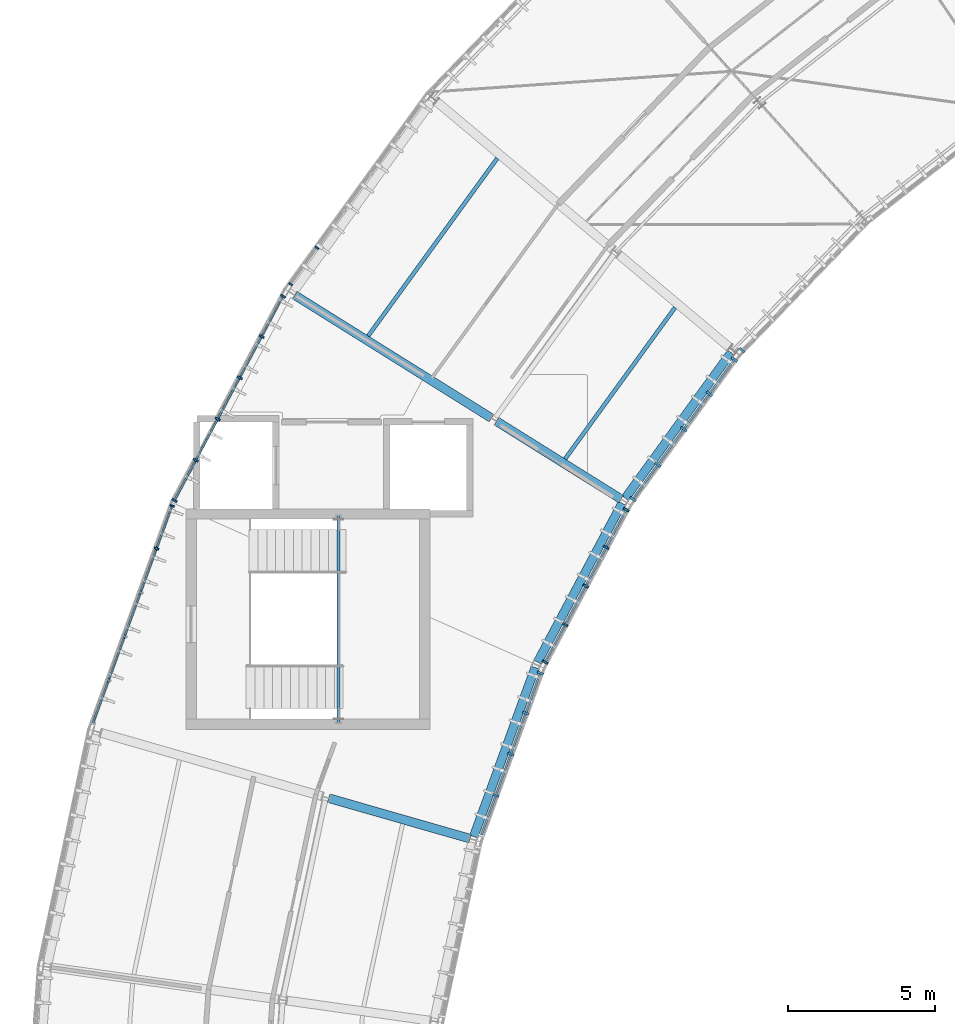
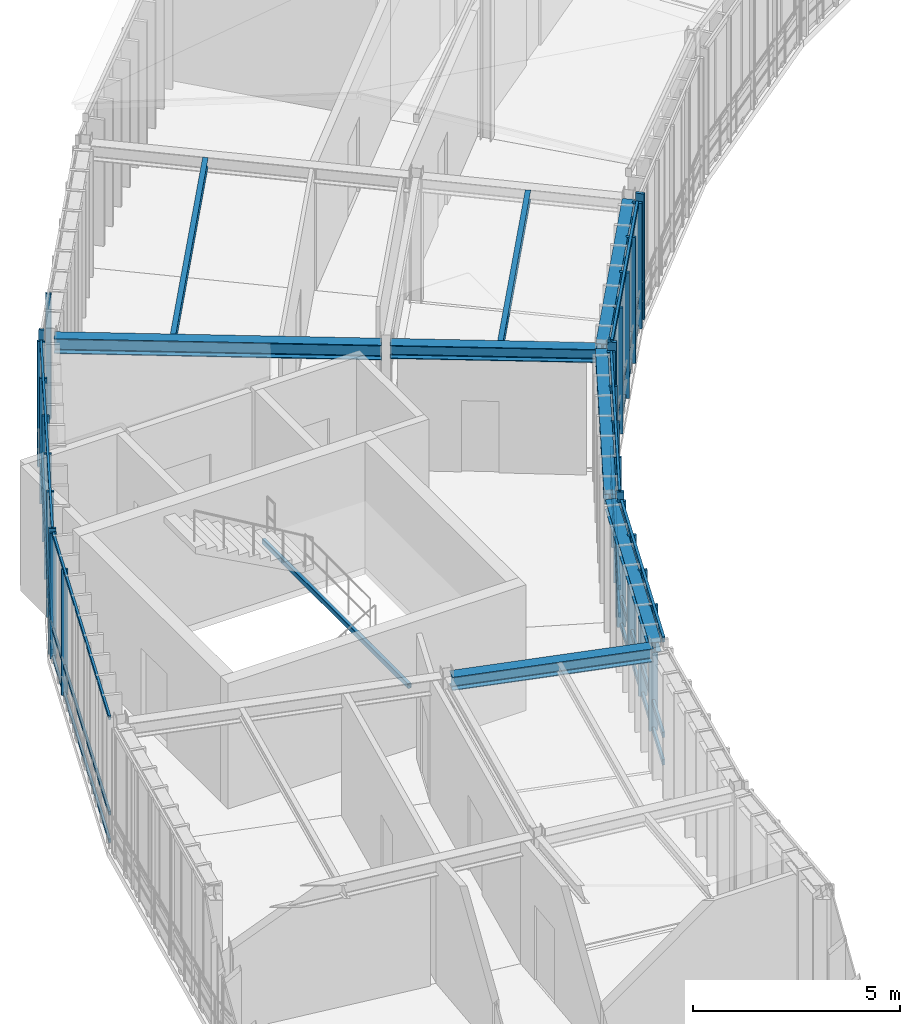
# One storey, part 6 of 25: 41 members, 8 beams, 7 elements without a shape of their own.
"""IFC4 building model written with IfcOpenShell, lengths in metres."""

from ifc_helpers import new_model, si_unit, direction, frame, origin, origin_2d, place, context, subcontext, project, spatial, rectangle, hollow_rectangle, i_section, extrude, material, layer, layer_set, material_profile, profile_set, type_object, element, aggregate, save


model = new_model("IFC4")

# Units and contexts
model_context = context("Model", 3, precision=1e-05, world=origin(), true_north=direction((0.0, 1.0)))
body_context = subcontext(model_context, "Body", "Model", "MODEL_VIEW")
ifc_project = project(units=[si_unit("LENGTHUNIT", "METRE"), si_unit("AREAUNIT", "SQUARE_METRE"), si_unit("VOLUMEUNIT", "CUBIC_METRE"), si_unit("PLANEANGLEUNIT", "RADIAN"), si_unit("MASSUNIT", "GRAM", prefix="KILO"), si_unit("THERMODYNAMICTEMPERATUREUNIT", "KELVIN"), si_unit("POWERUNIT", "WATT")], contexts=[model_context])

# Site, building, storey
site_placement = place(None, origin())
site = spatial("IfcSite", under=ifc_project, at=site_placement, CompositionType="ELEMENT")
building_placement = place(site_placement, origin())
building = spatial("IfcBuilding", under=site, at=building_placement, Name="Solvatero Civic Police Headquarters", CompositionType="ELEMENT")
storey_placement = place(building_placement, frame((0.0, 0.0, 25.5)))
storey = spatial("IfcBuildingStorey", under=building, at=storey_placement, Name="L06", CompositionType="ELEMENT", Elevation=25.5)

# Beams
ifc_material_1 = material(Name="Steel S355", Category="steel")
ifc_material_profile_1 = material_profile(ifc_material_1, i_section(OverallWidth=0.300048828125, OverallDepth=0.2900390625, WebThickness=0.008544921875, FlangeThickness=0.013916015625, FilletRadius=0.027099609375, at=origin_2d()), Name="HEA 300")
ifc_profile_set_1 = profile_set([ifc_material_profile_1], Name="Steel S355")
beam_type_1 = type_object("IfcBeamType", Name="BM-ST-HEA300", PredefinedType="SPANDREL", material=ifc_profile_set_1)
beam_1_placement = place(storey_placement, frame((59.201171875, 55.069580078125, 3.554931640625), z_axis=(-0.587785436261, -0.809016860714, 0.0), x_axis=(0.809016860714, -0.587785436261, 0.0)))
element("IfcBeam", 1, at=beam_1_placement, inside=storey, type_object=beam_type_1, Name="Perimeter / radial spandrel beam BM-R2-L06-ARC-CIN-B08", PredefinedType="SPANDREL", context=body_context, shape_type="SweptSolid", body=[
    extrude(i_section(OverallWidth=0.300048828125, OverallDepth=0.2900390625, WebThickness=0.008544921875, FlangeThickness=0.013916015625, FilletRadius=0.027099609375, at=origin_2d()), origin(), (0.0, 0.0, 1.0), 6.126953125),
])
beam_2_placement = place(storey_placement, frame((55.494140625, 49.943603515625, 3.554931640625), z_axis=(-0.469466925059, -0.882950058766, 0.0), x_axis=(0.882950058766, -0.469466925059, 0.0)))
element("IfcBeam", 2, at=beam_2_placement, inside=storey, type_object=beam_type_1, Name="Perimeter / radial spandrel beam BM-R2-L06-ARC-CIN-B09", PredefinedType="SPANDREL", context=body_context, shape_type="SweptSolid", body=[
    extrude(i_section(OverallWidth=0.300048828125, OverallDepth=0.2900390625, WebThickness=0.008544921875, FlangeThickness=0.013916015625, FilletRadius=0.027099609375, at=origin_2d()), origin(), (0.0, 0.0, 1.0), 6.127197265625),
])
beam_3_placement = place(storey_placement, frame((52.53662109375, 44.3515625, 3.554931640625), z_axis=(-0.342050189855, -0.939681684199, 0.0), x_axis=(0.939681684199, -0.342050189855, 0.0)))
element("IfcBeam", 3, at=beam_3_placement, inside=storey, type_object=beam_type_1, Name="Perimeter / radial spandrel beam BM-R2-L06-ARC-CIN-B10", PredefinedType="SPANDREL", context=body_context, shape_type="SweptSolid", body=[
    extrude(i_section(OverallWidth=0.300048828125, OverallDepth=0.2900390625, WebThickness=0.008544921875, FlangeThickness=0.013916015625, FilletRadius=0.027099609375, at=origin_2d()), origin(), (0.0, 0.0, 1.0), 6.126953125),
])
ifc_material_profile_2 = material_profile(ifc_material_1, i_section(OverallWidth=0.300048828125, OverallDepth=0.389892578125, WebThickness=0.010986328125, FlangeThickness=0.01904296875, FilletRadius=0.027099609375, at=origin_2d()), Name="HEA 400")
ifc_profile_set_2 = profile_set([ifc_material_profile_2], Name="Steel S355")
beam_type_2 = type_object("IfcBeamType", Name="BM-ST-HEA400", PredefinedType="BEAM", material=ifc_profile_set_2)
for number, where, z_axis, x_axis, name in (
    (4, (55.456298828125, 50.084716796875, 3.5048828125), (-0.848042191304, 0.529928713855, 0.0), (-0.529928713855, -0.848042191304, 0.0), "Primary girder BM-R2-L06-ARC-RAD1-S08"),
    (5, (50.310791015625, 38.52783203125, 3.5048828125), (-0.961263719424, 0.275630298987, 0.0), (-0.275630298987, -0.961263719424, 0.0), "Primary girder BM-R2-L06-ARC-RAD1-S10"),
):
    element("IfcBeam", number, at=place(storey_placement, frame(where, z_axis=z_axis, x_axis=x_axis)), inside=storey, type_object=beam_type_2, Name=name, PredefinedType="BEAM", context=body_context, shape_type="SweptSolid", body=[
        extrude(i_section(OverallWidth=0.300048828125, OverallDepth=0.389892578125, WebThickness=0.010986328125, FlangeThickness=0.01904296875, FilletRadius=0.027099609375, at=origin_2d()), origin(), (0.0, 0.0, 1.0), 5.0),
    ])
ifc_material_profile_3 = material_profile(ifc_material_1, i_section(OverallWidth=0.300048828125, OverallDepth=0.43994140625, WebThickness=0.011474609375, FlangeThickness=0.02099609375, FilletRadius=0.027099609375, at=origin_2d()), Name="HEA 450")
ifc_profile_set_3 = profile_set([ifc_material_profile_3], Name="Steel S355")
beam_type_3 = type_object("IfcBeamType", Name="BM-ST-HEA450", PredefinedType="BEAM", material=ifc_profile_set_3)
beam_4_placement = place(storey_placement, frame((51.04638671875, 52.84033203125, 3.47998046875), z_axis=(-0.848043440319, 0.529926715057, 0.0), x_axis=(-0.529926715057, -0.848043440319, 0.0)))
element("IfcBeam", 6, at=beam_4_placement, inside=storey, type_object=beam_type_3, Name="Primary girder BM-R2-L06-ARC-RAD2-S08", PredefinedType="BEAM", context=body_context, shape_type="SweptSolid", body=[
    extrude(i_section(OverallWidth=0.300048828125, OverallDepth=0.43994140625, WebThickness=0.011474609375, FlangeThickness=0.02099609375, FilletRadius=0.027099609375, at=origin_2d()), origin(), (0.0, 0.0, 1.0), 7.900146484375),
])
ifc_material_profile_4 = material_profile(ifc_material_1, i_section(OverallWidth=0.135009765625, OverallDepth=0.27001953125, WebThickness=0.006591796875, FlangeThickness=0.01025390625, FilletRadius=0.014892578125, at=origin_2d()), Name="IPE 270")
ifc_profile_set_4 = profile_set([ifc_material_profile_4], Name="Steel S355")
beam_type_4 = type_object("IfcBeamType", Name="BM-ST-IPE270", PredefinedType="BEAM", material=ifc_profile_set_4)
beam_5_placement = place(storey_placement, frame((57.294921875, 56.603759765625, 3.56494140625), z_axis=(-0.587786418719, -0.809016146915, 0.0), x_axis=(0.809016146915, -0.587786418719, 0.0)))
element("IfcBeam", 7, at=beam_5_placement, inside=storey, type_object=beam_type_4, Name="Composite floor beam BM-R2-L06-ARC-CS1-B08", PredefinedType="BEAM", context=body_context, shape_type="SweptSolid", body=[
    extrude(i_section(OverallWidth=0.135009765625, OverallDepth=0.27001953125, WebThickness=0.006591796875, FlangeThickness=0.01025390625, FilletRadius=0.014892578125, at=origin_2d()), origin(), (0.0, 0.0, 1.0), 6.36865234375),
])
beam_6_placement = place(storey_placement, frame((51.2431640625, 61.681884765625, 3.56494140625), z_axis=(-0.587800506185, -0.809005911554, 0.0), x_axis=(0.809005911554, -0.587800506185, 0.0)))
element("IfcBeam", 8, at=beam_6_placement, inside=storey, type_object=beam_type_4, Name="Composite floor beam BM-R2-L06-ARC-CS2-B08", PredefinedType="BEAM", context=body_context, shape_type="SweptSolid", body=[
    extrude(i_section(OverallWidth=0.135009765625, OverallDepth=0.27001953125, WebThickness=0.006591796875, FlangeThickness=0.01025390625, FilletRadius=0.014892578125, at=origin_2d()), origin(), (0.0, 0.0, 1.0), 7.470947265625),
])

# Curtain wall, members
ifc_material_2 = material(Name="Anodized Bronze Aluminium", Category="aluminium")
ifc_layer_1 = layer(ifc_material_2, 0.179931640625)
ifc_layer_set_1 = layer_set([ifc_layer_1], Name="Anodized Bronze Aluminium")
curtain_wall_type_1 = type_object("IfcCurtainWallType", Name="CW-ARC-IN", PredefinedType="USERDEFINED", material=ifc_layer_set_1)
curtain_wall_1_placement = place(storey_placement, origin())
curtain_wall_1 = element("IfcCurtainWall", 9, at=curtain_wall_1_placement, inside=storey, type_object=curtain_wall_type_1, Name="Curtain Wall CW-R2-L06-ARC-IN-B08", ObjectType="UNITISED", PredefinedType="USERDEFINED")
ifc_material_profile_5 = material_profile(ifc_material_2, rectangle(XDim=0.080078125, YDim=0.239990234375, at=origin_2d()), Name="ALU MULLION 80x240")
ifc_profile_set_5 = profile_set([ifc_material_profile_5], Name="Anodized Bronze Aluminium")
member_type_1 = type_object("IfcMemberType", Name="CWM-140x60", PredefinedType="MULLION", material=ifc_profile_set_5)
member_1_placement = place(storey_placement, frame((59.316162109375, 54.83740234375, 0.0), z_axis=(0.0, 0.0, 1.0), x_axis=(-0.587785252292, -0.809016994375, 0.0)))
member_1 = element("IfcMember", 10, at=member_1_placement, type_object=member_type_1, Name="CW-R2-L06-ARC-IN-B08 Mullion 1", PredefinedType="MULLION", context=body_context, shape_type="SweptSolid", body=[
    extrude(rectangle(XDim=0.080078125, YDim=0.239990234375, at=origin_2d()), origin(), (0.0, 0.0, 1.0), 3.699951171875),
])
member_2_placement = place(storey_placement, frame((58.46435546875, 53.6650390625, 0.0), z_axis=(0.0, 0.0, 1.0), x_axis=(-0.587785252292, -0.809016994375, 0.0)))
member_2 = element("IfcMember", 11, at=member_2_placement, type_object=member_type_1, Name="CW-R2-L06-ARC-IN-B08 Mullion 2", PredefinedType="MULLION", context=body_context, shape_type="SweptSolid", body=[
    extrude(rectangle(XDim=0.080078125, YDim=0.239990234375, at=origin_2d()), origin(), (0.0, 0.0, 1.0), 3.699951171875),
])
member_3_placement = place(storey_placement, frame((57.589111328125, 52.460205078125, 0.0), z_axis=(0.0, 0.0, 1.0), x_axis=(-0.587785252292, -0.809016994375, 0.0)))
member_3 = element("IfcMember", 12, at=member_3_placement, type_object=member_type_1, Name="CW-R2-L06-ARC-IN-B08 Mullion 3", PredefinedType="MULLION", context=body_context, shape_type="SweptSolid", body=[
    extrude(rectangle(XDim=0.080078125, YDim=0.239990234375, at=origin_2d()), origin(), (0.0, 0.0, 1.0), 3.699951171875),
])
member_4_placement = place(storey_placement, frame((56.713623046875, 51.255615234375, 0.0), z_axis=(0.0, 0.0, 1.0), x_axis=(-0.587785252292, -0.809016994375, 0.0)))
member_4 = element("IfcMember", 13, at=member_4_placement, type_object=member_type_1, Name="CW-R2-L06-ARC-IN-B08 Mullion 4", PredefinedType="MULLION", context=body_context, shape_type="SweptSolid", body=[
    extrude(rectangle(XDim=0.080078125, YDim=0.239990234375, at=origin_2d()), origin(), (0.0, 0.0, 1.0), 3.699951171875),
])
member_5_placement = place(storey_placement, frame((55.86181640625, 50.0830078125, 0.0), z_axis=(0.0, 0.0, 1.0), x_axis=(-0.587785252292, -0.809016994375, 0.0)))
member_5 = element("IfcMember", 14, at=member_5_placement, type_object=member_type_1, Name="CW-R2-L06-ARC-IN-B08 Mullion 5", PredefinedType="MULLION", context=body_context, shape_type="SweptSolid", body=[
    extrude(rectangle(XDim=0.080078125, YDim=0.239990234375, at=origin_2d()), origin(), (0.0, 0.0, 1.0), 3.699951171875),
])

ifc_layer_2 = layer(ifc_material_2, 0.179931640625)
ifc_layer_set_2 = layer_set([ifc_layer_2], Name="Anodized Bronze Aluminium")
curtain_wall_type_2 = type_object("IfcCurtainWallType", Name="CW-ARC-OUT", PredefinedType="USERDEFINED", material=ifc_layer_set_2)
curtain_wall_2_placement = place(storey_placement, origin())
curtain_wall_2 = element("IfcCurtainWall", 15, at=curtain_wall_2_placement, inside=storey, type_object=curtain_wall_type_2, Name="Curtain Wall CW-R2-L06-ARC-OUT-B08", ObjectType="UNITISED", PredefinedType="USERDEFINED")
ifc_material_profile_6 = material_profile(ifc_material_2, rectangle(XDim=0.06005859375, YDim=0.139892578125, at=origin_2d()), Name="ALU MULLION 60x140")
ifc_profile_set_6 = profile_set([ifc_material_profile_6], Name="Anodized Bronze Aluminium")
member_type_2 = type_object("IfcMemberType", Name="CWM-160x65", PredefinedType="MULLION", material=ifc_profile_set_6)
member_6_placement = place(storey_placement, frame((45.1064453125, 58.63232421875, 0.0), z_axis=(0.0, 0.0, 1.0), x_axis=(-0.587785252292, -0.809016994375, 0.0)))
member_6 = element("IfcMember", 16, at=member_6_placement, type_object=member_type_2, Name="CW-R2-L06-ARC-OUT-B08 Mullion 5", PredefinedType="MULLION", context=body_context, shape_type="SweptSolid", body=[
    extrude(rectangle(XDim=0.06005859375, YDim=0.139892578125, at=origin_2d()), origin(), (0.0, 0.0, 1.0), 3.699951171875),
])
member_7_placement = place(storey_placement, frame((44.21142578125, 57.400634765625, 0.0), z_axis=(0.0, 0.0, 1.0), x_axis=(-0.587785252292, -0.809016994375, 0.0)))
member_7 = element("IfcMember", 17, at=member_7_placement, type_object=member_type_2, Name="CW-R2-L06-ARC-OUT-B08 Mullion 6", PredefinedType="MULLION", context=body_context, shape_type="SweptSolid", body=[
    extrude(rectangle(XDim=0.06005859375, YDim=0.139892578125, at=origin_2d()), origin(), (0.0, 0.0, 1.0), 3.699951171875),
])
aggregate(curtain_wall_2, [member_6, member_7])

curtain_wall_3_placement = place(storey_placement, origin())
curtain_wall_3 = element("IfcCurtainWall", 18, at=curtain_wall_3_placement, inside=storey, type_object=curtain_wall_type_2, Name="Curtain Wall CW-R2-L06-ARC-OUT-B10", ObjectType="UNITISED", PredefinedType="USERDEFINED")
ifc_material_profile_7 = material_profile(ifc_material_2, rectangle(XDim=0.06005859375, YDim=0.159912109375, at=origin_2d()), Name="ALU MULLION 60x160")
ifc_profile_set_7 = profile_set([ifc_material_profile_7], Name="Anodized Bronze Aluminium")
member_type_3 = type_object("IfcMemberType", Name="CWM-180x70", PredefinedType="MULLION", material=ifc_profile_set_7)
member_8_placement = place(storey_placement, frame((40.17626953125, 49.854736328125, 0.0), z_axis=(0.0, 0.0, 1.0), x_axis=(-0.342020143326, -0.939692620786, 0.0)))
member_8 = element("IfcMember", 19, at=member_8_placement, type_object=member_type_3, Name="CW-R2-L06-ARC-OUT-B10 Mullion 1", PredefinedType="MULLION", context=body_context, shape_type="SweptSolid", body=[
    extrude(rectangle(XDim=0.06005859375, YDim=0.159912109375, at=origin_2d()), origin(), (0.0, 0.0, 1.0), 3.699951171875),
])
member_9_placement = place(storey_placement, frame((39.646240234375, 48.3984375, 0.0), z_axis=(0.0, 0.0, 1.0), x_axis=(-0.342020143326, -0.939692620786, 0.0)))
member_9 = element("IfcMember", 20, at=member_9_placement, type_object=member_type_3, Name="CW-R2-L06-ARC-OUT-B10 Mullion 2", PredefinedType="MULLION", context=body_context, shape_type="SweptSolid", body=[
    extrude(rectangle(XDim=0.06005859375, YDim=0.159912109375, at=origin_2d()), origin(), (0.0, 0.0, 1.0), 3.699951171875),
])

curtain_wall_4_placement = place(storey_placement, origin())
curtain_wall_4 = element("IfcCurtainWall", 21, at=curtain_wall_4_placement, inside=storey, type_object=curtain_wall_type_2, Name="Curtain Wall CW-R2-L06-ARC-OUT-B09", ObjectType="UNITISED", PredefinedType="USERDEFINED")
ifc_material_profile_8 = material_profile(ifc_material_2, rectangle(XDim=0.06494140625, YDim=0.179931640625, at=origin_2d()), Name="ALU MULLION 65x180")
ifc_profile_set_8 = profile_set([ifc_material_profile_8], Name="Anodized Bronze Aluminium")
member_type_4 = type_object("IfcMemberType", Name="CWM-200x75", PredefinedType="MULLION", material=ifc_profile_set_8)
member_10_placement = place(storey_placement, frame((43.951416015625, 56.984619140625, 0.0), z_axis=(0.0, 0.0, 1.0), x_axis=(-0.469471562786, -0.882947592859, 0.0)))
member_10 = element("IfcMember", 22, at=member_10_placement, type_object=member_type_4, Name="CW-R2-L06-ARC-OUT-B09 Mullion 1", PredefinedType="MULLION", context=body_context, shape_type="SweptSolid", body=[
    extrude(rectangle(XDim=0.06494140625, YDim=0.179931640625, at=origin_2d()), origin(), (0.0, 0.0, 1.0), 3.699951171875),
])
member_11_placement = place(storey_placement, frame((43.223876953125, 55.6162109375, 0.0), z_axis=(0.0, 0.0, 1.0), x_axis=(-0.469471562786, -0.882947592859, 0.0)))
member_11 = element("IfcMember", 23, at=member_11_placement, type_object=member_type_4, Name="CW-R2-L06-ARC-OUT-B09 Mullion 2", PredefinedType="MULLION", context=body_context, shape_type="SweptSolid", body=[
    extrude(rectangle(XDim=0.06494140625, YDim=0.179931640625, at=origin_2d()), origin(), (0.0, 0.0, 1.0), 3.699951171875),
])
member_12_placement = place(storey_placement, frame((42.4775390625, 54.212646484375, 0.0), z_axis=(0.0, 0.0, 1.0), x_axis=(-0.469471562786, -0.882947592859, 0.0)))
member_12 = element("IfcMember", 24, at=member_12_placement, type_object=member_type_4, Name="CW-R2-L06-ARC-OUT-B09 Mullion 3", PredefinedType="MULLION", context=body_context, shape_type="SweptSolid", body=[
    extrude(rectangle(XDim=0.06494140625, YDim=0.179931640625, at=origin_2d()), origin(), (0.0, 0.0, 1.0), 3.699951171875),
])
member_13_placement = place(storey_placement, frame((41.731201171875, 52.80908203125, 0.0), z_axis=(0.0, 0.0, 1.0), x_axis=(-0.469471562786, -0.882947592859, 0.0)))
member_13 = element("IfcMember", 25, at=member_13_placement, type_object=member_type_4, Name="CW-R2-L06-ARC-OUT-B09 Mullion 4", PredefinedType="MULLION", context=body_context, shape_type="SweptSolid", body=[
    extrude(rectangle(XDim=0.06494140625, YDim=0.179931640625, at=origin_2d()), origin(), (0.0, 0.0, 1.0), 3.699951171875),
])
member_14_placement = place(storey_placement, frame((40.98486328125, 51.4052734375, 0.0), z_axis=(0.0, 0.0, 1.0), x_axis=(-0.469471562786, -0.882947592859, 0.0)))
member_14 = element("IfcMember", 26, at=member_14_placement, type_object=member_type_4, Name="CW-R2-L06-ARC-OUT-B09 Mullion 5", PredefinedType="MULLION", context=body_context, shape_type="SweptSolid", body=[
    extrude(rectangle(XDim=0.06494140625, YDim=0.179931640625, at=origin_2d()), origin(), (0.0, 0.0, 1.0), 3.699951171875),
])
member_15_placement = place(storey_placement, frame((40.25732421875, 50.037109375, 0.0), z_axis=(0.0, 0.0, 1.0), x_axis=(-0.469471562786, -0.882947592859, 0.0)))
member_15 = element("IfcMember", 27, at=member_15_placement, type_object=member_type_4, Name="CW-R2-L06-ARC-OUT-B09 Mullion 6", PredefinedType="MULLION", context=body_context, shape_type="SweptSolid", body=[
    extrude(rectangle(XDim=0.06494140625, YDim=0.179931640625, at=origin_2d()), origin(), (0.0, 0.0, 1.0), 3.699951171875),
])

curtain_wall_5_placement = place(storey_placement, origin())
curtain_wall_5 = element("IfcCurtainWall", 28, at=curtain_wall_5_placement, inside=storey, type_object=curtain_wall_type_1, Name="Curtain Wall CW-R2-L06-ARC-IN-B09", ObjectType="UNITISED", PredefinedType="USERDEFINED")
ifc_material_profile_9 = material_profile(ifc_material_2, rectangle(XDim=0.070068359375, YDim=0.199951171875, at=origin_2d()), Name="ALU MULLION 70x200")
ifc_profile_set_9 = profile_set([ifc_material_profile_9], Name="Anodized Bronze Aluminium")
member_type_5 = type_object("IfcMemberType", Name="CWM-220x80", PredefinedType="MULLION", material=ifc_profile_set_9)
member_16_placement = place(storey_placement, frame((55.635498046875, 49.720947265625, 0.0), z_axis=(0.0, 0.0, 1.0), x_axis=(-0.469486973057, -0.8829393989, 0.0)))
member_16 = element("IfcMember", 29, at=member_16_placement, type_object=member_type_5, Name="CW-R2-L06-ARC-IN-B09 Mullion 1", PredefinedType="MULLION", context=body_context, shape_type="SweptSolid", body=[
    extrude(rectangle(XDim=0.070068359375, YDim=0.199951171875, at=origin_2d()), origin(), (0.0, 0.0, 1.0), 3.699951171875),
])
member_17_placement = place(storey_placement, frame((54.955078125, 48.44140625, 0.0), z_axis=(0.0, 0.0, 1.0), x_axis=(-0.469486973057, -0.8829393989, 0.0)))
member_17 = element("IfcMember", 30, at=member_17_placement, type_object=member_type_5, Name="CW-R2-L06-ARC-IN-B09 Mullion 2", PredefinedType="MULLION", context=body_context, shape_type="SweptSolid", body=[
    extrude(rectangle(XDim=0.070068359375, YDim=0.199951171875, at=origin_2d()), origin(), (0.0, 0.0, 1.0), 3.699951171875),
])
member_18_placement = place(storey_placement, frame((54.256103515625, 47.12646484375, 0.0), z_axis=(0.0, 0.0, 1.0), x_axis=(-0.469486973057, -0.8829393989, 0.0)))
member_18 = element("IfcMember", 31, at=member_18_placement, type_object=member_type_5, Name="CW-R2-L06-ARC-IN-B09 Mullion 3", PredefinedType="MULLION", context=body_context, shape_type="SweptSolid", body=[
    extrude(rectangle(XDim=0.070068359375, YDim=0.199951171875, at=origin_2d()), origin(), (0.0, 0.0, 1.0), 3.699951171875),
])
member_19_placement = place(storey_placement, frame((53.556884765625, 45.8115234375, 0.0), z_axis=(0.0, 0.0, 1.0), x_axis=(-0.469486973057, -0.8829393989, 0.0)))
member_19 = element("IfcMember", 32, at=member_19_placement, type_object=member_type_5, Name="CW-R2-L06-ARC-IN-B09 Mullion 4", PredefinedType="MULLION", context=body_context, shape_type="SweptSolid", body=[
    extrude(rectangle(XDim=0.070068359375, YDim=0.199951171875, at=origin_2d()), origin(), (0.0, 0.0, 1.0), 3.699951171875),
])
member_20_placement = place(storey_placement, frame((52.87646484375, 44.531982421875, 0.0), z_axis=(0.0, 0.0, 1.0), x_axis=(-0.469486973057, -0.8829393989, 0.0)))
member_20 = element("IfcMember", 33, at=member_20_placement, type_object=member_type_5, Name="CW-R2-L06-ARC-IN-B09 Mullion 5", PredefinedType="MULLION", context=body_context, shape_type="SweptSolid", body=[
    extrude(rectangle(XDim=0.070068359375, YDim=0.199951171875, at=origin_2d()), origin(), (0.0, 0.0, 1.0), 3.699951171875),
])

# Curtain wall, member
curtain_wall_6_placement = place(storey_placement, origin())
curtain_wall_6 = element("IfcCurtainWall", 34, at=curtain_wall_6_placement, inside=storey, type_object=curtain_wall_type_1, Name="Curtain Wall CW-R2-L06-ARC-IN-B07", ObjectType="UNITISED", PredefinedType="USERDEFINED")
ifc_material_profile_10 = material_profile(ifc_material_2, rectangle(XDim=0.074951171875, YDim=0.219970703125, at=origin_2d()), Name="ALU MULLION 75x220")
ifc_profile_set_10 = profile_set([ifc_material_profile_10], Name="Anodized Bronze Aluminium")
member_type_6 = type_object("IfcMemberType", Name="CWM-250x85", PredefinedType="MULLION", material=ifc_profile_set_10)
member_21_placement = place(storey_placement, frame((59.577880859375, 55.1494140625, 0.0), z_axis=(0.0, 0.0, 1.0), x_axis=(-0.694645815505, -0.719351924305, 0.0)))
member_21 = element("IfcMember", 35, at=member_21_placement, type_object=member_type_6, Name="CW-R2-L06-ARC-IN-B07 Mullion 5", PredefinedType="MULLION", context=body_context, shape_type="SweptSolid", body=[
    extrude(rectangle(XDim=0.074951171875, YDim=0.219970703125, at=origin_2d()), origin(), (0.0, 0.0, 1.0), 3.699951171875),
])
aggregate(curtain_wall_6, [member_21])

# Curtain wall, members
curtain_wall_7_placement = place(storey_placement, origin())
curtain_wall_7 = element("IfcCurtainWall", 36, at=curtain_wall_7_placement, inside=storey, type_object=curtain_wall_type_1, Name="Curtain Wall CW-R2-L06-ARC-IN-B10", ObjectType="UNITISED", PredefinedType="USERDEFINED")
member_22_placement = place(storey_placement, frame((52.7109375, 44.160400390625, 0.0), z_axis=(0.0, 0.0, 1.0), x_axis=(-0.342003742543, -0.93969859002, 0.0)))
member_22 = element("IfcMember", 37, at=member_22_placement, type_object=member_type_6, Name="CW-R2-L06-ARC-IN-B10 Mullion 1", PredefinedType="MULLION", context=body_context, shape_type="SweptSolid", body=[
    extrude(rectangle(XDim=0.074951171875, YDim=0.219970703125, at=origin_2d()), origin(), (0.0, 0.0, 1.0), 3.699951171875),
])
member_23_placement = place(storey_placement, frame((52.21533203125, 42.798583984375, 0.0), z_axis=(0.0, 0.0, 1.0), x_axis=(-0.342003742543, -0.93969859002, 0.0)))
member_23 = element("IfcMember", 38, at=member_23_placement, type_object=member_type_6, Name="CW-R2-L06-ARC-IN-B10 Mullion 2", PredefinedType="MULLION", context=body_context, shape_type="SweptSolid", body=[
    extrude(rectangle(XDim=0.074951171875, YDim=0.219970703125, at=origin_2d()), origin(), (0.0, 0.0, 1.0), 3.699951171875),
])
member_24_placement = place(storey_placement, frame((51.7060546875, 41.399169921875, 0.0), z_axis=(0.0, 0.0, 1.0), x_axis=(-0.342003742543, -0.93969859002, 0.0)))
member_24 = element("IfcMember", 39, at=member_24_placement, type_object=member_type_6, Name="CW-R2-L06-ARC-IN-B10 Mullion 3", PredefinedType="MULLION", context=body_context, shape_type="SweptSolid", body=[
    extrude(rectangle(XDim=0.074951171875, YDim=0.219970703125, at=origin_2d()), origin(), (0.0, 0.0, 1.0), 3.699951171875),
])
member_25_placement = place(storey_placement, frame((51.19677734375, 39.999755859375, 0.0), z_axis=(0.0, 0.0, 1.0), x_axis=(-0.342003742543, -0.93969859002, 0.0)))
member_25 = element("IfcMember", 40, at=member_25_placement, type_object=member_type_6, Name="CW-R2-L06-ARC-IN-B10 Mullion 4", PredefinedType="MULLION", context=body_context, shape_type="SweptSolid", body=[
    extrude(rectangle(XDim=0.074951171875, YDim=0.219970703125, at=origin_2d()), origin(), (0.0, 0.0, 1.0), 3.699951171875),
])

# Member
ifc_material_profile_11 = material_profile(ifc_material_2, rectangle(XDim=0.070068359375, YDim=0.159912109375, at=origin_2d()), Name="ALU TRANSOM 70x160")
ifc_profile_set_11 = profile_set([ifc_material_profile_11], Name="Anodized Bronze Aluminium")
member_type_7 = type_object("IfcMemberType", Name="CWT-120x55", PredefinedType="USERDEFINED", material=ifc_profile_set_11)
member_26_placement = place(storey_placement, frame((59.310302734375, 54.829345703125, 0.0400390625), z_axis=(-0.587812239929, -0.808997386022, 0.0), x_axis=(0.808997386022, -0.587812239929, 0.0)))
member_26 = element("IfcMember", 41, at=member_26_placement, type_object=member_type_7, Name="CW-R2-L06-ARC-IN-B08 Transom 1", ObjectType="TRANSOM", PredefinedType="USERDEFINED", context=body_context, shape_type="SweptSolid", body=[
    extrude(rectangle(XDim=0.070068359375, YDim=0.159912109375, at=origin_2d()), origin(), (0.0, 0.0, 1.0), 5.856689453125),
])

member_27_placement = place(storey_placement, frame((59.310302734375, 54.829345703125, 0.85009765625), z_axis=(-0.587812239929, -0.808997386022, 0.0), x_axis=(0.808997386022, -0.587812239929, 0.0)))
member_27 = element("IfcMember", 42, at=member_27_placement, type_object=member_type_7, Name="CW-R2-L06-ARC-IN-B08 Transom 2", ObjectType="TRANSOM", PredefinedType="USERDEFINED", context=body_context, shape_type="SweptSolid", body=[
    extrude(rectangle(XDim=0.070068359375, YDim=0.159912109375, at=origin_2d()), origin(), (0.0, 0.0, 1.0), 5.856689453125),
])

member_28_placement = place(storey_placement, frame((59.310302734375, 54.829345703125, 3.659912109375), z_axis=(-0.587812239929, -0.808997386022, 0.0), x_axis=(0.808997386022, -0.587812239929, 0.0)))
member_28 = element("IfcMember", 43, at=member_28_placement, type_object=member_type_7, Name="CW-R2-L06-ARC-IN-B08 Transom 3", ObjectType="TRANSOM", PredefinedType="USERDEFINED", context=body_context, shape_type="SweptSolid", body=[
    extrude(rectangle(XDim=0.070068359375, YDim=0.159912109375, at=origin_2d()), origin(), (0.0, 0.0, 1.0), 5.856689453125),
])

aggregate(curtain_wall_1, [member_1, member_2, member_3, member_4, member_5, member_26, member_27, member_28])

member_29_placement = place(storey_placement, frame((52.70751953125, 44.15087890625, 0.0400390625), z_axis=(-0.341984033957, -0.939705762736, 0.0), x_axis=(0.939705762736, -0.341984033957, 0.0)))
member_29 = element("IfcMember", 44, at=member_29_placement, type_object=member_type_7, Name="CW-R2-L06-ARC-IN-B10 Transom 1", ObjectType="TRANSOM", PredefinedType="USERDEFINED", context=body_context, shape_type="SweptSolid", body=[
    extrude(rectangle(XDim=0.070068359375, YDim=0.159912109375, at=origin_2d()), origin(), (0.0, 0.0, 1.0), 5.856689453125),
])

member_30_placement = place(storey_placement, frame((52.70751953125, 44.15087890625, 0.85009765625), z_axis=(-0.341984033957, -0.939705762736, 0.0), x_axis=(0.939705762736, -0.341984033957, 0.0)))
member_30 = element("IfcMember", 45, at=member_30_placement, type_object=member_type_7, Name="CW-R2-L06-ARC-IN-B10 Transom 2", ObjectType="TRANSOM", PredefinedType="USERDEFINED", context=body_context, shape_type="SweptSolid", body=[
    extrude(rectangle(XDim=0.070068359375, YDim=0.159912109375, at=origin_2d()), origin(), (0.0, 0.0, 1.0), 5.856689453125),
])

member_31_placement = place(storey_placement, frame((52.70751953125, 44.15087890625, 3.659912109375), z_axis=(-0.341984033957, -0.939705762736, 0.0), x_axis=(0.939705762736, -0.341984033957, 0.0)))
member_31 = element("IfcMember", 46, at=member_31_placement, type_object=member_type_7, Name="CW-R2-L06-ARC-IN-B10 Transom 3", ObjectType="TRANSOM", PredefinedType="USERDEFINED", context=body_context, shape_type="SweptSolid", body=[
    extrude(rectangle(XDim=0.070068359375, YDim=0.159912109375, at=origin_2d()), origin(), (0.0, 0.0, 1.0), 5.856689453125),
])

aggregate(curtain_wall_7, [member_22, member_23, member_24, member_25, member_29, member_30, member_31])

ifc_material_profile_12 = material_profile(ifc_material_2, rectangle(XDim=0.06005859375, YDim=0.110107421875, at=origin_2d()), Name="ALU TRANSOM 60x110")
ifc_profile_set_12 = profile_set([ifc_material_profile_12], Name="Anodized Bronze Aluminium")
member_type_8 = type_object("IfcMemberType", Name="CWT-140x60", PredefinedType="USERDEFINED", material=ifc_profile_set_12)
member_32_placement = place(storey_placement, frame((40.1728515625, 49.84521484375, 0.0400390625), z_axis=(-0.342025284411, -0.939690749568, 0.0), x_axis=(0.939690749568, -0.342025284411, 0.0)))
member_32 = element("IfcMember", 47, at=member_32_placement, type_object=member_type_8, Name="CW-R2-L06-ARC-OUT-B10 Transom 1", ObjectType="TRANSOM", PredefinedType="USERDEFINED", context=body_context, shape_type="SweptSolid", body=[
    extrude(rectangle(XDim=0.06005859375, YDim=0.110107421875, at=origin_2d()), origin(), (0.0, 0.0, 1.0), 7.848388671875),
])

member_33_placement = place(storey_placement, frame((40.1728515625, 49.84521484375, 0.85009765625), z_axis=(-0.342025284411, -0.939690749568, 0.0), x_axis=(0.939690749568, -0.342025284411, 0.0)))
member_33 = element("IfcMember", 48, at=member_33_placement, type_object=member_type_8, Name="CW-R2-L06-ARC-OUT-B10 Transom 2", ObjectType="TRANSOM", PredefinedType="USERDEFINED", context=body_context, shape_type="SweptSolid", body=[
    extrude(rectangle(XDim=0.06005859375, YDim=0.110107421875, at=origin_2d()), origin(), (0.0, 0.0, 1.0), 7.848388671875),
])

member_34_placement = place(storey_placement, frame((40.1728515625, 49.84521484375, 3.659912109375), z_axis=(-0.342025284411, -0.939690749568, 0.0), x_axis=(0.939690749568, -0.342025284411, 0.0)))
member_34 = element("IfcMember", 49, at=member_34_placement, type_object=member_type_8, Name="CW-R2-L06-ARC-OUT-B10 Transom 3", ObjectType="TRANSOM", PredefinedType="USERDEFINED", context=body_context, shape_type="SweptSolid", body=[
    extrude(rectangle(XDim=0.06005859375, YDim=0.110107421875, at=origin_2d()), origin(), (0.0, 0.0, 1.0), 7.848388671875),
])

aggregate(curtain_wall_3, [member_8, member_9, member_32, member_33, member_34])

ifc_material_profile_13 = material_profile(ifc_material_2, rectangle(XDim=0.06005859375, YDim=0.125, at=origin_2d()), Name="ALU TRANSOM 60x125")
ifc_profile_set_13 = profile_set([ifc_material_profile_13], Name="Anodized Bronze Aluminium")
member_type_9 = type_object("IfcMemberType", Name="CWT-160x65", PredefinedType="USERDEFINED", material=ifc_profile_set_13)
member_35_placement = place(storey_placement, frame((43.94677734375, 56.9755859375, 0.0400390625), z_axis=(-0.469470580415, -0.882948115194, 0.0), x_axis=(0.882948115194, -0.469470580415, 0.0)))
member_35 = element("IfcMember", 50, at=member_35_placement, type_object=member_type_9, Name="CW-R2-L06-ARC-OUT-B09 Transom 1", ObjectType="TRANSOM", PredefinedType="USERDEFINED", context=body_context, shape_type="SweptSolid", body=[
    extrude(rectangle(XDim=0.06005859375, YDim=0.125, at=origin_2d()), origin(), (0.0, 0.0, 1.0), 7.848388671875),
])

member_36_placement = place(storey_placement, frame((43.94677734375, 56.9755859375, 0.85009765625), z_axis=(-0.469470580415, -0.882948115194, 0.0), x_axis=(0.882948115194, -0.469470580415, 0.0)))
member_36 = element("IfcMember", 51, at=member_36_placement, type_object=member_type_9, Name="CW-R2-L06-ARC-OUT-B09 Transom 2", ObjectType="TRANSOM", PredefinedType="USERDEFINED", context=body_context, shape_type="SweptSolid", body=[
    extrude(rectangle(XDim=0.06005859375, YDim=0.125, at=origin_2d()), origin(), (0.0, 0.0, 1.0), 7.848388671875),
])

member_37_placement = place(storey_placement, frame((43.94677734375, 56.9755859375, 3.659912109375), z_axis=(-0.469470580415, -0.882948115194, 0.0), x_axis=(0.882948115194, -0.469470580415, 0.0)))
member_37 = element("IfcMember", 52, at=member_37_placement, type_object=member_type_9, Name="CW-R2-L06-ARC-OUT-B09 Transom 3", ObjectType="TRANSOM", PredefinedType="USERDEFINED", context=body_context, shape_type="SweptSolid", body=[
    extrude(rectangle(XDim=0.06005859375, YDim=0.125, at=origin_2d()), origin(), (0.0, 0.0, 1.0), 7.848388671875),
])

aggregate(curtain_wall_4, [member_10, member_11, member_12, member_13, member_14, member_15, member_35, member_36, member_37])

ifc_material_profile_14 = material_profile(ifc_material_2, rectangle(XDim=0.06494140625, YDim=0.139892578125, at=origin_2d()), Name="ALU TRANSOM 65x140")
ifc_profile_set_14 = profile_set([ifc_material_profile_14], Name="Anodized Bronze Aluminium")
member_type_10 = type_object("IfcMemberType", Name="CWT-180x70", PredefinedType="USERDEFINED", material=ifc_profile_set_14)
member_38_placement = place(storey_placement, frame((55.630859375, 49.712158203125, 0.0400390625), z_axis=(-0.469482313157, -0.882941876701, 0.0), x_axis=(0.882941876701, -0.469482313157, 0.0)))
member_38 = element("IfcMember", 53, at=member_38_placement, type_object=member_type_10, Name="CW-R2-L06-ARC-IN-B09 Transom 1", ObjectType="TRANSOM", PredefinedType="USERDEFINED", context=body_context, shape_type="SweptSolid", body=[
    extrude(rectangle(XDim=0.06494140625, YDim=0.139892578125, at=origin_2d()), origin(), (0.0, 0.0, 1.0), 5.85693359375),
])

member_39_placement = place(storey_placement, frame((55.630859375, 49.712158203125, 0.85009765625), z_axis=(-0.469482313157, -0.882941876701, 0.0), x_axis=(0.882941876701, -0.469482313157, 0.0)))
member_39 = element("IfcMember", 54, at=member_39_placement, type_object=member_type_10, Name="CW-R2-L06-ARC-IN-B09 Transom 2", ObjectType="TRANSOM", PredefinedType="USERDEFINED", context=body_context, shape_type="SweptSolid", body=[
    extrude(rectangle(XDim=0.06494140625, YDim=0.139892578125, at=origin_2d()), origin(), (0.0, 0.0, 1.0), 5.85693359375),
])

member_40_placement = place(storey_placement, frame((55.630859375, 49.712158203125, 3.659912109375), z_axis=(-0.469482313157, -0.882941876701, 0.0), x_axis=(0.882941876701, -0.469482313157, 0.0)))
member_40 = element("IfcMember", 55, at=member_40_placement, type_object=member_type_10, Name="CW-R2-L06-ARC-IN-B09 Transom 3", ObjectType="TRANSOM", PredefinedType="USERDEFINED", context=body_context, shape_type="SweptSolid", body=[
    extrude(rectangle(XDim=0.06494140625, YDim=0.139892578125, at=origin_2d()), origin(), (0.0, 0.0, 1.0), 5.85693359375),
])

aggregate(curtain_wall_5, [member_16, member_17, member_18, member_19, member_20, member_38, member_39, member_40])

ifc_material_profile_15 = material_profile(ifc_material_1, hollow_rectangle(XDim=0.10009765625, YDim=0.14990234375, WallThickness=0.00634765625, InnerFilletRadius=0.00634765625, OuterFilletRadius=0.0126953125, at=origin_2d()), Name="RHS 150x100x6.3")
ifc_profile_set_15 = profile_set([ifc_material_profile_15], Name="Steel S355")
member_type_11 = type_object("IfcMemberType", Name="MB-BR-RHS150", PredefinedType="BRACE", material=ifc_profile_set_15)
member_41_placement = place(storey_placement, frame((45.840087890625, 42.47998046875, 1.675048828125), z_axis=(0.0, 1.0, 0.0), x_axis=(-1.0, 0.0, 0.0)))
element("IfcMember", 56, at=member_41_placement, inside=storey, type_object=member_type_11, Name="ST-C2 L06 Landing Support Beam", PredefinedType="BRACE", context=body_context, shape_type="SweptSolid", body=[
    extrude(hollow_rectangle(XDim=0.10009765625, YDim=0.14990234375, WallThickness=0.00634765625, InnerFilletRadius=0.00634765625, OuterFilletRadius=0.0126953125, at=origin_2d()), origin(), (0.0, 0.0, 1.0), 7.0400390625),
])

save(model, "model.ifc")
